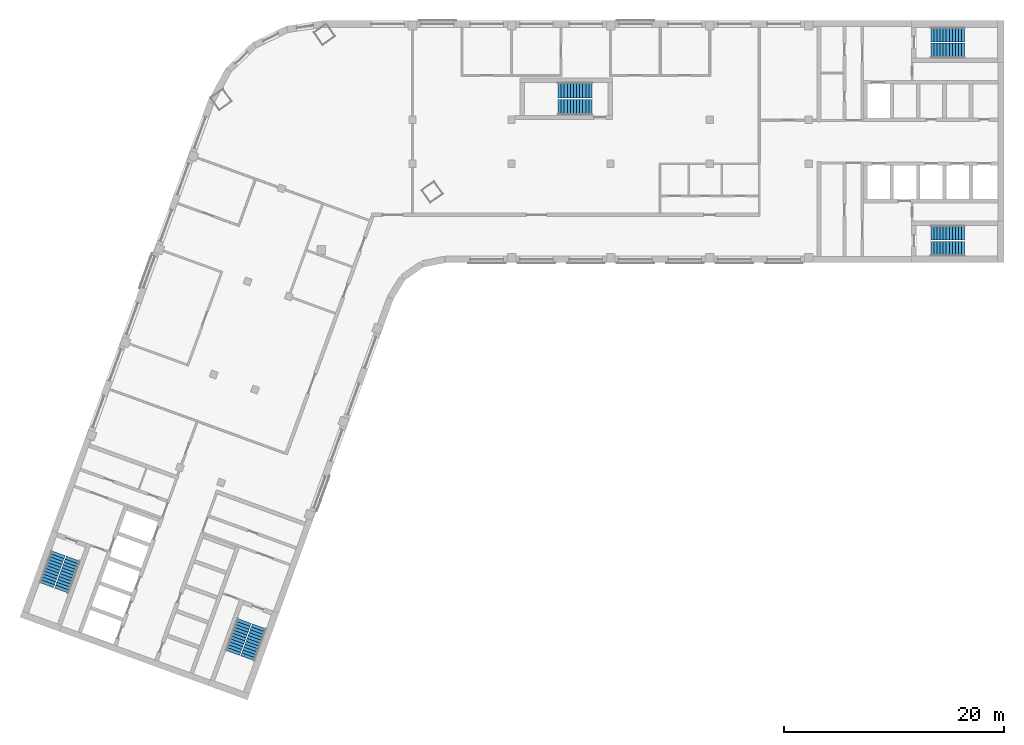
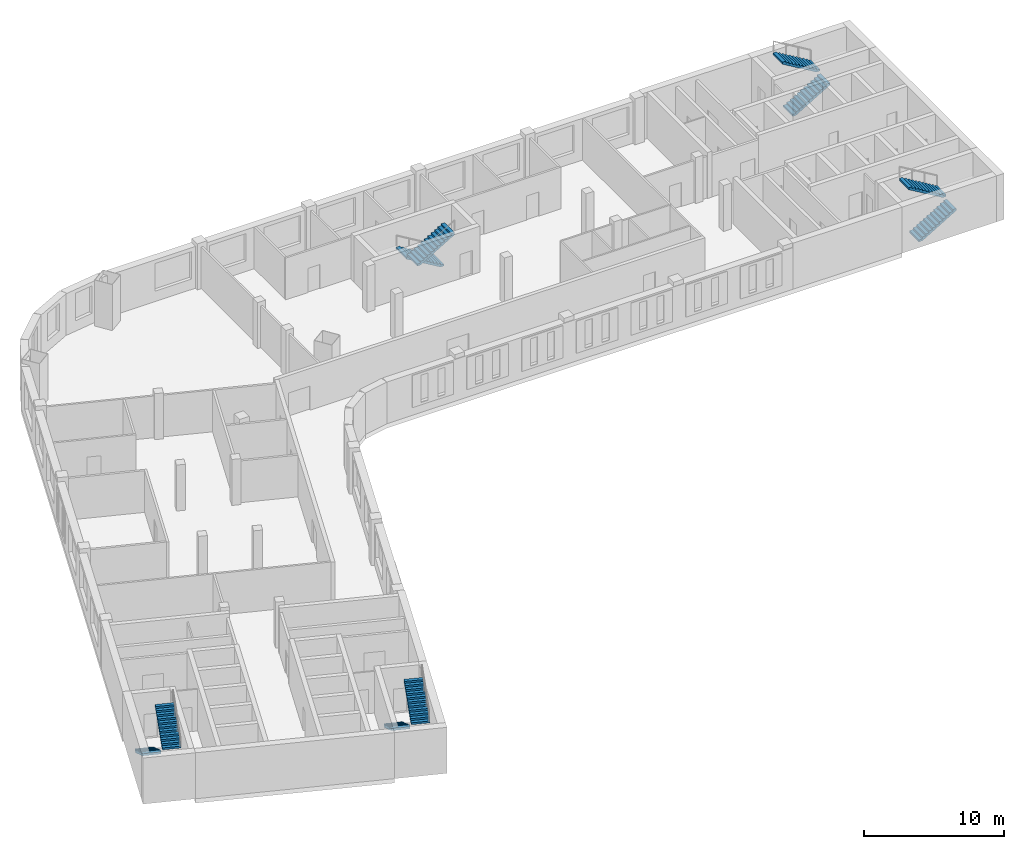
# One storey, part 7 of 8: 10 stair flights, 5 elements without a shape of their own.
"""IFC4 building model written with IfcOpenShell, lengths in metres."""

from ifc_helpers import new_model, si_unit, direction, frame, origin, place, context, subcontext, project, spatial, polyline, outline, extrude, material, type_object, element, aggregate, save


model = new_model("IFC4")

# Units and contexts
model_context = context("Model", 3, precision=1e-05, world=origin(), true_north=direction((0.0, 1.0)))
body_context = subcontext(model_context, "Body", "Model", "MODEL_VIEW")
ifc_project = project(units=[si_unit("LENGTHUNIT", "METRE"), si_unit("AREAUNIT", "SQUARE_METRE"), si_unit("VOLUMEUNIT", "CUBIC_METRE"), si_unit("PLANEANGLEUNIT", "RADIAN"), si_unit("MASSUNIT", "GRAM", prefix="KILO")], contexts=[model_context])

# Site, building, storey
site_placement = place(None, origin())
site = spatial("IfcSite", under=ifc_project, at=site_placement, CompositionType="ELEMENT")
building_placement = place(site_placement, origin())
building = spatial("IfcBuilding", under=site, at=building_placement, Name="Skarvind Civic Tower", CompositionType="ELEMENT")
storey_placement = place(building_placement, frame((0.0, 0.0, 134.5)))
storey = spatial("IfcBuildingStorey", under=building, at=storey_placement, Name="L31", CompositionType="ELEMENT", Elevation=134.5)

# Stair, stair flights
ifc_material = material(Name="Concrete C40/50", Category="concrete")
stair_type_1 = type_object("IfcStairType", Name="Exit stair 1450, half-turn, concrete", PredefinedType="HALF_TURN_STAIR", material=ifc_material)
stair_1_placement = place(storey_placement, origin())
stair_1 = element("IfcStair", 1, at=stair_1_placement, inside=storey, type_object=stair_type_1, Name="Exit stair CM", PredefinedType="HALF_TURN_STAIR")
stair_flight_type_1 = type_object("IfcStairFlightType", Name="Stair flight 1450, concrete", PredefinedType="STRAIGHT", material=ifc_material)
stair_flight_1_placement = place(storey_placement, frame((70.550048828125, 132.675048828125, 0.0), z_axis=(0.0, 0.0, 1.0), x_axis=(-1.0, 0.0, 0.0)))
stair_flight_1 = element("IfcStairFlight", 2, at=stair_flight_1_placement, type_object=stair_flight_type_1, Name="ST-CM flight 1", NumberOfRisers=12, NumberOfTreads=11, PredefinedType="STRAIGHT", RiserHeight=0.166666667, TreadLength=0.28, context=body_context, shape_type="SweptSolid", body=[
    extrude(outline(polyline([(0.0, 0.0), (0.0, 0.166748046875), (0.280029296875, 0.166748046875), (0.280029296875, 0.333251953125), (0.56005859375, 0.333251953125), (0.56005859375, 0.5), (0.840087890625, 0.5), (0.840087890625, 0.666748046875), (1.1201171875, 0.666748046875), (1.1201171875, 0.833251953125), (1.39990234375, 0.833251953125), (1.39990234375, 1.0), (1.679931640625, 1.0), (1.679931640625, 1.166748046875), (1.9599609375, 1.166748046875), (1.9599609375, 1.333251953125), (2.239990234375, 1.333251953125), (2.239990234375, 1.5), (2.52001953125, 1.5), (2.52001953125, 1.666748046875), (2.800048828125, 1.666748046875), (2.800048828125, 1.833251953125), (3.080078125, 1.833251953125), (3.080078125, 2.0), (3.080078125, 1.658935546875), (0.29296875, 0.0), (0.0, 0.0)])), frame((0.0, 0.72509765625, 0.0), z_axis=(0.0, -1.0, 0.0), x_axis=(1.0, 0.0, 0.0)), (0.0, 0.0, 1.0), 1.449951171875),
])
stair_flight_2_placement = place(storey_placement, frame((67.469970703125, 131.125, 2.0), z_axis=(0.0, 0.0, 1.0), x_axis=(1.0, 0.0, 0.0)))
stair_flight_2 = element("IfcStairFlight", 3, at=stair_flight_2_placement, type_object=stair_flight_type_1, Name="ST-CM flight 2", NumberOfRisers=12, NumberOfTreads=11, PredefinedType="STRAIGHT", RiserHeight=0.166666667, TreadLength=0.28, context=body_context, shape_type="SweptSolid", body=[
    extrude(outline(polyline([(0.0, 0.0), (0.0, 0.166748046875), (0.280029296875, 0.166748046875), (0.280029296875, 0.333251953125), (0.56005859375, 0.333251953125), (0.56005859375, 0.5), (0.840087890625, 0.5), (0.840087890625, 0.666748046875), (1.1201171875, 0.666748046875), (1.1201171875, 0.833251953125), (1.39990234375, 0.833251953125), (1.39990234375, 1.0), (1.679931640625, 1.0), (1.679931640625, 1.166748046875), (1.9599609375, 1.166748046875), (1.9599609375, 1.333251953125), (2.239990234375, 1.333251953125), (2.239990234375, 1.5), (2.52001953125, 1.5), (2.52001953125, 1.666748046875), (2.800048828125, 1.666748046875), (2.800048828125, 1.833251953125), (3.080078125, 1.833251953125), (3.080078125, 2.0), (3.080078125, 1.658935546875), (0.29296875, 0.0), (0.0, 0.0)])), frame((0.0, 0.72509765625, 0.0), z_axis=(0.0, -1.0, 0.0), x_axis=(1.0, 0.0, 0.0)), (0.0, 0.0, 1.0), 1.449951171875),
])
aggregate(stair_1, [stair_flight_1, stair_flight_2])

stair_type_2 = type_object("IfcStairType", Name="Exit stair, half-turn, concrete", PredefinedType="HALF_TURN_STAIR", material=ifc_material)
stair_2_placement = place(storey_placement, origin())
stair_2 = element("IfcStair", 4, at=stair_2_placement, inside=storey, type_object=stair_type_2, Name="Exit stair C1S", PredefinedType="HALF_TURN_STAIR")
stair_flight_type_2 = type_object("IfcStairFlightType", Name="Stair flight, concrete", PredefinedType="STRAIGHT", material=ifc_material)
stair_flight_3_placement = place(storey_placement, frame((101.35009765625, 136.27490234375, 0.0), z_axis=(0.0, 0.0, 1.0), x_axis=(1.0, 0.0, 0.0)))
stair_flight_3 = element("IfcStairFlight", 5, at=stair_flight_3_placement, type_object=stair_flight_type_2, Name="ST-C1S flight 1", NumberOfRisers=12, NumberOfTreads=11, PredefinedType="STRAIGHT", RiserHeight=0.166666667, TreadLength=0.28, context=body_context, shape_type="SweptSolid", body=[
    extrude(outline(polyline([(0.0, 0.0), (0.0, 0.166748046875), (0.280029296875, 0.166748046875), (0.280029296875, 0.333251953125), (0.56005859375, 0.333251953125), (0.56005859375, 0.5), (0.840087890625, 0.5), (0.840087890625, 0.666748046875), (1.1201171875, 0.666748046875), (1.1201171875, 0.833251953125), (1.39990234375, 0.833251953125), (1.39990234375, 1.0), (1.679931640625, 1.0), (1.679931640625, 1.166748046875), (1.9599609375, 1.166748046875), (1.9599609375, 1.333251953125), (2.239990234375, 1.333251953125), (2.239990234375, 1.5), (2.52001953125, 1.5), (2.52001953125, 1.666748046875), (2.800048828125, 1.666748046875), (2.800048828125, 1.833251953125), (3.080078125, 1.833251953125), (3.080078125, 2.0), (3.080078125, 1.658935546875), (0.29296875, 0.0), (0.0, 0.0)])), frame((0.0, 0.675048828125, 0.0), z_axis=(0.0, -1.0, 0.0), x_axis=(1.0, 0.0, 0.0)), (0.0, 0.0, 1.0), 1.35009765625),
])
stair_flight_4_placement = place(storey_placement, frame((104.429931640625, 137.72509765625, 2.0), z_axis=(0.0, 0.0, 1.0), x_axis=(-1.0, 0.0, 0.0)))
stair_flight_4 = element("IfcStairFlight", 6, at=stair_flight_4_placement, type_object=stair_flight_type_2, Name="ST-C1S flight 2", NumberOfRisers=12, NumberOfTreads=11, PredefinedType="STRAIGHT", RiserHeight=0.166666667, TreadLength=0.28, context=body_context, shape_type="SweptSolid", body=[
    extrude(outline(polyline([(0.0, 0.0), (0.0, 0.166748046875), (0.280029296875, 0.166748046875), (0.280029296875, 0.333251953125), (0.56005859375, 0.333251953125), (0.56005859375, 0.5), (0.840087890625, 0.5), (0.840087890625, 0.666748046875), (1.1201171875, 0.666748046875), (1.1201171875, 0.833251953125), (1.39990234375, 0.833251953125), (1.39990234375, 1.0), (1.679931640625, 1.0), (1.679931640625, 1.166748046875), (1.9599609375, 1.166748046875), (1.9599609375, 1.333251953125), (2.239990234375, 1.333251953125), (2.239990234375, 1.5), (2.52001953125, 1.5), (2.52001953125, 1.666748046875), (2.800048828125, 1.666748046875), (2.800048828125, 1.833251953125), (3.080078125, 1.833251953125), (3.080078125, 2.0), (3.080078125, 1.658935546875), (0.29296875, 0.0), (0.0, 0.0)])), frame((0.0, 0.675048828125, 0.0), z_axis=(0.0, -1.0, 0.0), x_axis=(1.0, 0.0, 0.0)), (0.0, 0.0, 1.0), 1.35009765625),
])
aggregate(stair_2, [stair_flight_3, stair_flight_4])

stair_3_placement = place(storey_placement, origin())
stair_3 = element("IfcStair", 7, at=stair_3_placement, inside=storey, type_object=stair_type_2, Name="Exit stair C1N", PredefinedType="HALF_TURN_STAIR")
stair_flight_5_placement = place(storey_placement, frame((101.35009765625, 118.27490234375, 0.0), z_axis=(0.0, 0.0, 1.0), x_axis=(1.0, 0.0, 0.0)))
stair_flight_5 = element("IfcStairFlight", 8, at=stair_flight_5_placement, type_object=stair_flight_type_2, Name="ST-C1N flight 1", NumberOfRisers=12, NumberOfTreads=11, PredefinedType="STRAIGHT", RiserHeight=0.166666667, TreadLength=0.28, context=body_context, shape_type="SweptSolid", body=[
    extrude(outline(polyline([(0.0, 0.0), (0.0, 0.166748046875), (0.280029296875, 0.166748046875), (0.280029296875, 0.333251953125), (0.56005859375, 0.333251953125), (0.56005859375, 0.5), (0.840087890625, 0.5), (0.840087890625, 0.666748046875), (1.1201171875, 0.666748046875), (1.1201171875, 0.833251953125), (1.39990234375, 0.833251953125), (1.39990234375, 1.0), (1.679931640625, 1.0), (1.679931640625, 1.166748046875), (1.9599609375, 1.166748046875), (1.9599609375, 1.333251953125), (2.239990234375, 1.333251953125), (2.239990234375, 1.5), (2.52001953125, 1.5), (2.52001953125, 1.666748046875), (2.800048828125, 1.666748046875), (2.800048828125, 1.833251953125), (3.080078125, 1.833251953125), (3.080078125, 2.0), (3.080078125, 1.658935546875), (0.29296875, 0.0), (0.0, 0.0)])), frame((0.0, 0.675048828125, 0.0), z_axis=(0.0, -1.0, 0.0), x_axis=(1.0, 0.0, 0.0)), (0.0, 0.0, 1.0), 1.35009765625),
])
stair_flight_6_placement = place(storey_placement, frame((104.429931640625, 119.72509765625, 2.0), z_axis=(0.0, 0.0, 1.0), x_axis=(-1.0, 0.0, 0.0)))
stair_flight_6 = element("IfcStairFlight", 9, at=stair_flight_6_placement, type_object=stair_flight_type_2, Name="ST-C1N flight 2", NumberOfRisers=12, NumberOfTreads=11, PredefinedType="STRAIGHT", RiserHeight=0.166666667, TreadLength=0.28, context=body_context, shape_type="SweptSolid", body=[
    extrude(outline(polyline([(0.0, 0.0), (0.0, 0.166748046875), (0.280029296875, 0.166748046875), (0.280029296875, 0.333251953125), (0.56005859375, 0.333251953125), (0.56005859375, 0.5), (0.840087890625, 0.5), (0.840087890625, 0.666748046875), (1.1201171875, 0.666748046875), (1.1201171875, 0.833251953125), (1.39990234375, 0.833251953125), (1.39990234375, 1.0), (1.679931640625, 1.0), (1.679931640625, 1.166748046875), (1.9599609375, 1.166748046875), (1.9599609375, 1.333251953125), (2.239990234375, 1.333251953125), (2.239990234375, 1.5), (2.52001953125, 1.5), (2.52001953125, 1.666748046875), (2.800048828125, 1.666748046875), (2.800048828125, 1.833251953125), (3.080078125, 1.833251953125), (3.080078125, 2.0), (3.080078125, 1.658935546875), (0.29296875, 0.0), (0.0, 0.0)])), frame((0.0, 0.675048828125, 0.0), z_axis=(0.0, -1.0, 0.0), x_axis=(1.0, 0.0, 0.0)), (0.0, 0.0, 1.0), 1.35009765625),
])
aggregate(stair_3, [stair_flight_5, stair_flight_6])

stair_4_placement = place(storey_placement, origin())
stair_4 = element("IfcStair", 10, at=stair_4_placement, inside=storey, type_object=stair_type_2, Name="Exit stair C2S", PredefinedType="HALF_TURN_STAIR")
stair_flight_7_placement = place(storey_placement, frame((38.949462890625, 84.43408203125, 0.0), z_axis=(0.0, 0.0, 1.0), x_axis=(-0.342020143326, -0.939692620786, 0.0)))
stair_flight_7 = element("IfcStairFlight", 11, at=stair_flight_7_placement, type_object=stair_flight_type_2, Name="ST-C2S flight 1", NumberOfRisers=12, NumberOfTreads=11, PredefinedType="STRAIGHT", RiserHeight=0.166666667, TreadLength=0.28, context=body_context, shape_type="SweptSolid", body=[
    extrude(outline(polyline([(0.0, 0.0), (0.0, 0.166748046875), (0.280029296875, 0.166748046875), (0.280029296875, 0.333251953125), (0.56005859375, 0.333251953125), (0.56005859375, 0.5), (0.840087890625, 0.5), (0.840087890625, 0.666748046875), (1.1201171875, 0.666748046875), (1.1201171875, 0.833251953125), (1.39990234375, 0.833251953125), (1.39990234375, 1.0), (1.679931640625, 1.0), (1.679931640625, 1.166748046875), (1.9599609375, 1.166748046875), (1.9599609375, 1.333251953125), (2.239990234375, 1.333251953125), (2.239990234375, 1.5), (2.52001953125, 1.5), (2.52001953125, 1.666748046875), (2.800048828125, 1.666748046875), (2.800048828125, 1.833251953125), (3.080078125, 1.833251953125), (3.080078125, 2.0), (3.080078125, 1.658935546875), (0.29296875, 0.0), (0.0, 0.0)])), frame((0.0, 0.675048828125, 0.0), z_axis=(0.0, -1.0, 0.0), x_axis=(1.0, 0.0, 0.0)), (0.0, 0.0, 1.0), 1.35009765625),
])
stair_flight_8_placement = place(storey_placement, frame((39.258544921875, 81.0439453125, 2.0), z_axis=(0.0, 0.0, 1.0), x_axis=(0.342020143326, 0.939692620786, 0.0)))
stair_flight_8 = element("IfcStairFlight", 12, at=stair_flight_8_placement, type_object=stair_flight_type_2, Name="ST-C2S flight 2", NumberOfRisers=12, NumberOfTreads=11, PredefinedType="STRAIGHT", RiserHeight=0.166666667, TreadLength=0.28, context=body_context, shape_type="SweptSolid", body=[
    extrude(outline(polyline([(0.0, 0.0), (0.0, 0.166748046875), (0.280029296875, 0.166748046875), (0.280029296875, 0.333251953125), (0.56005859375, 0.333251953125), (0.56005859375, 0.5), (0.840087890625, 0.5), (0.840087890625, 0.666748046875), (1.1201171875, 0.666748046875), (1.1201171875, 0.833251953125), (1.39990234375, 0.833251953125), (1.39990234375, 1.0), (1.679931640625, 1.0), (1.679931640625, 1.166748046875), (1.9599609375, 1.166748046875), (1.9599609375, 1.333251953125), (2.239990234375, 1.333251953125), (2.239990234375, 1.5), (2.52001953125, 1.5), (2.52001953125, 1.666748046875), (2.800048828125, 1.666748046875), (2.800048828125, 1.833251953125), (3.080078125, 1.833251953125), (3.080078125, 2.0), (3.080078125, 1.658935546875), (0.29296875, 0.0), (0.0, 0.0)])), frame((0.0, 0.675048828125, 0.0), z_axis=(0.0, -1.0, 0.0), x_axis=(1.0, 0.0, 0.0)), (0.0, 0.0, 1.0), 1.35009765625),
])
aggregate(stair_4, [stair_flight_7, stair_flight_8])

stair_5_placement = place(storey_placement, origin())
stair_5 = element("IfcStair", 13, at=stair_5_placement, inside=storey, type_object=stair_type_2, Name="Exit stair C2N", PredefinedType="HALF_TURN_STAIR")
stair_flight_9_placement = place(storey_placement, frame((22.034912109375, 90.590576171875, 0.0), z_axis=(0.0, 0.0, 1.0), x_axis=(-0.342020143326, -0.939692620786, 0.0)))
stair_flight_9 = element("IfcStairFlight", 14, at=stair_flight_9_placement, type_object=stair_flight_type_2, Name="ST-C2N flight 1", NumberOfRisers=12, NumberOfTreads=11, PredefinedType="STRAIGHT", RiserHeight=0.166666667, TreadLength=0.28, context=body_context, shape_type="SweptSolid", body=[
    extrude(outline(polyline([(0.0, 0.0), (0.0, 0.166748046875), (0.280029296875, 0.166748046875), (0.280029296875, 0.333251953125), (0.56005859375, 0.333251953125), (0.56005859375, 0.5), (0.840087890625, 0.5), (0.840087890625, 0.666748046875), (1.1201171875, 0.666748046875), (1.1201171875, 0.833251953125), (1.39990234375, 0.833251953125), (1.39990234375, 1.0), (1.679931640625, 1.0), (1.679931640625, 1.166748046875), (1.9599609375, 1.166748046875), (1.9599609375, 1.333251953125), (2.239990234375, 1.333251953125), (2.239990234375, 1.5), (2.52001953125, 1.5), (2.52001953125, 1.666748046875), (2.800048828125, 1.666748046875), (2.800048828125, 1.833251953125), (3.080078125, 1.833251953125), (3.080078125, 2.0), (3.080078125, 1.658935546875), (0.29296875, 0.0), (0.0, 0.0)])), frame((0.0, 0.675048828125, 0.0), z_axis=(0.0, -1.0, 0.0), x_axis=(1.0, 0.0, 0.0)), (0.0, 0.0, 1.0), 1.35009765625),
])
stair_flight_10_placement = place(storey_placement, frame((22.343994140625, 87.2001953125, 2.0), z_axis=(0.0, 0.0, 1.0), x_axis=(0.342020143326, 0.939692620786, 0.0)))
stair_flight_10 = element("IfcStairFlight", 15, at=stair_flight_10_placement, type_object=stair_flight_type_2, Name="ST-C2N flight 2", NumberOfRisers=12, NumberOfTreads=11, PredefinedType="STRAIGHT", RiserHeight=0.166666667, TreadLength=0.28, context=body_context, shape_type="SweptSolid", body=[
    extrude(outline(polyline([(0.0, 0.0), (0.0, 0.166748046875), (0.280029296875, 0.166748046875), (0.280029296875, 0.333251953125), (0.56005859375, 0.333251953125), (0.56005859375, 0.5), (0.840087890625, 0.5), (0.840087890625, 0.666748046875), (1.1201171875, 0.666748046875), (1.1201171875, 0.833251953125), (1.39990234375, 0.833251953125), (1.39990234375, 1.0), (1.679931640625, 1.0), (1.679931640625, 1.166748046875), (1.9599609375, 1.166748046875), (1.9599609375, 1.333251953125), (2.239990234375, 1.333251953125), (2.239990234375, 1.5), (2.52001953125, 1.5), (2.52001953125, 1.666748046875), (2.800048828125, 1.666748046875), (2.800048828125, 1.833251953125), (3.080078125, 1.833251953125), (3.080078125, 2.0), (3.080078125, 1.658935546875), (0.29296875, 0.0), (0.0, 0.0)])), frame((0.0, 0.675048828125, 0.0), z_axis=(0.0, -1.0, 0.0), x_axis=(1.0, 0.0, 0.0)), (0.0, 0.0, 1.0), 1.35009765625),
])
aggregate(stair_5, [stair_flight_9, stair_flight_10])

save(model, "model.ifc")
